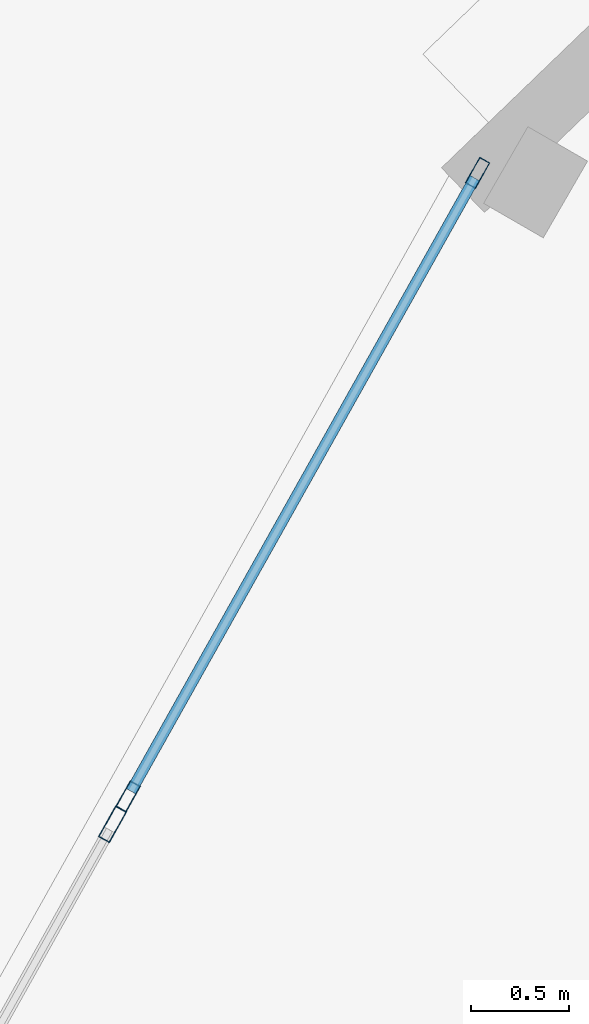
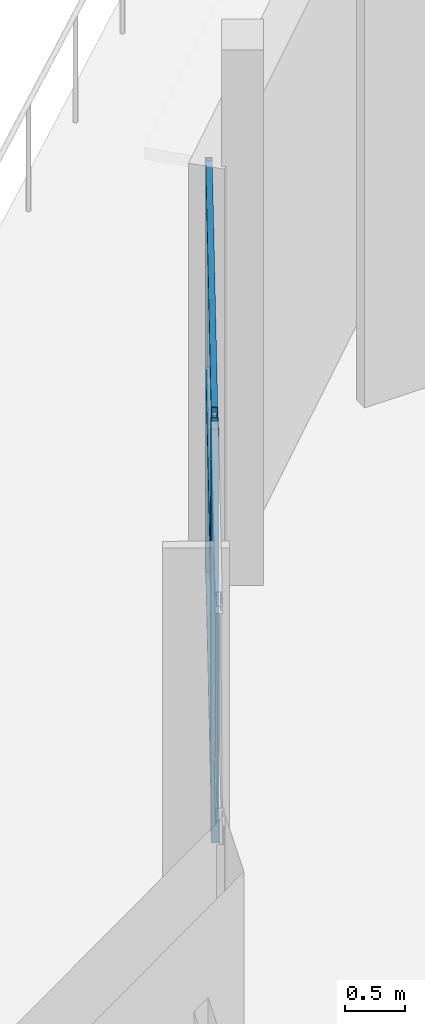
# One storey, part 42 of 123: 6 members, 2 elements without a shape of their own.
"""IFC4 building model written with IfcOpenShell, lengths in metres."""

from ifc_helpers import new_model, si_unit, direction, frame, origin, origin_2d, place, context, subcontext, project, spatial, hollow_rectangle, extrude, material, layer, layer_set, material_profile, profile_set, type_object, element, aggregate, save


model = new_model("IFC4")

# Units and contexts
model_context = context("Model", 3, precision=1e-05, world=origin(), true_north=direction((0.0, 1.0)))
body_context = subcontext(model_context, "Body", "Model", "MODEL_VIEW")
ifc_project = project(units=[si_unit("LENGTHUNIT", "METRE"), si_unit("AREAUNIT", "SQUARE_METRE"), si_unit("VOLUMEUNIT", "CUBIC_METRE"), si_unit("PLANEANGLEUNIT", "RADIAN"), si_unit("MASSUNIT", "GRAM", prefix="KILO")], contexts=[model_context])

# Site, building, storey
site_placement = place(None, origin())
site = spatial("IfcSite", under=ifc_project, at=site_placement, CompositionType="ELEMENT")
building_placement = place(site_placement, origin())
building = spatial("IfcBuilding", under=site, at=building_placement, Name="Kalgoora Escarpment Arena", CompositionType="ELEMENT")
storey_placement = place(building_placement, frame((0.0, 0.0, 9.89990234375)))
storey = spatial("IfcBuildingStorey", under=building, at=storey_placement, Name="L02", CompositionType="ELEMENT", Elevation=9.89990234375)

# Curtain wall, members
ifc_material_1 = material(Name=" Champagne anodised aluminium & double-glazed low-E", Category="aluminium")
ifc_layer_1 = layer(ifc_material_1, 0.154052734375)
ifc_layer_set_1 = layer_set([ifc_layer_1], Name="CW-UNIT-11")
curtain_wall_type_1 = type_object("IfcCurtainWallType", Name="CW-UNIT-11", PredefinedType="NOTDEFINED", material=ifc_layer_set_1)
curtain_wall_1_placement = place(storey_placement, origin())
curtain_wall_1 = element("IfcCurtainWall", 1, at=curtain_wall_1_placement, inside=storey, type_object=curtain_wall_type_1, Name="L02 unitised facade curtain wall 070", PredefinedType="NOTDEFINED")
ifc_material_2 = material(Name="Anodised aluminium 6063-T6", Category="aluminium")
ifc_material_profile_1 = material_profile(ifc_material_2, hollow_rectangle(XDim=0.06005859375, YDim=0.14990234375, WallThickness=0.00341796875, at=origin_2d()))
ifc_profile_set_1 = profile_set([ifc_material_profile_1], Name="Anodised aluminium 6063-T6")
member_type_1 = type_object("IfcMemberType", Name="MEM-CW-MULL-150", PredefinedType="MULLION", material=ifc_profile_set_1)
member_1_placement = place(storey_placement, frame((18.968505859375, 91.27734375, 0.02001953125), z_axis=(0.0, 0.0, 1.0), x_axis=(-0.872355947952, 0.488871251019, 0.0)))
member_1 = element("IfcMember", 2, at=member_1_placement, type_object=member_type_1, Name="CW-11 mullion 1", PredefinedType="MULLION", context=body_context, shape_type="SweptSolid", body=[
    extrude(hollow_rectangle(XDim=0.06005859375, YDim=0.14990234375, WallThickness=0.00341796875, at=origin_2d()), origin(), (0.0, 0.0, 1.0), 4.205078125),
])
member_2_placement = place(storey_placement, frame((20.7451171875, 94.447509765625, 0.02001953125), z_axis=(0.0, 0.0, 1.0), x_axis=(-0.872355947952, 0.488871251019, 0.0)))
member_2 = element("IfcMember", 3, at=member_2_placement, type_object=member_type_1, Name="CW-11 mullion 2", PredefinedType="MULLION", context=body_context, shape_type="SweptSolid", body=[
    extrude(hollow_rectangle(XDim=0.06005859375, YDim=0.14990234375, WallThickness=0.00341796875, at=origin_2d()), origin(), (0.0, 0.0, 1.0), 4.205078125),
])

# Curtain wall, member
ifc_material_3 = material(Name=" Champagne anodised aluminium & double-glazed low-E", Category="aluminium")
ifc_layer_2 = layer(ifc_material_3, 0.14990234375)
ifc_layer_set_2 = layer_set([ifc_layer_2], Name="CW-UNIT-10")
curtain_wall_type_2 = type_object("IfcCurtainWallType", Name="CW-UNIT-10", PredefinedType="NOTDEFINED", material=ifc_layer_set_2)
curtain_wall_2_placement = place(storey_placement, origin())
curtain_wall_2 = element("IfcCurtainWall", 4, at=curtain_wall_2_placement, inside=storey, type_object=curtain_wall_type_2, Name="L02 unitised facade curtain wall 069", PredefinedType="NOTDEFINED")
ifc_material_4 = material(Name="Anodised aluminium 6063-T6", Category="aluminium")
ifc_material_profile_2 = material_profile(ifc_material_4, hollow_rectangle(XDim=0.06494140625, YDim=0.179931640625, WallThickness=0.00390625, at=origin_2d()))
ifc_profile_set_2 = profile_set([ifc_material_profile_2], Name="Anodised aluminium 6063-T6")
member_type_2 = type_object("IfcMemberType", Name="MEM-CW-MULL-180", PredefinedType="MULLION", material=ifc_profile_set_2)
member_3_placement = place(storey_placement, frame((18.88916015625, 91.135498046875, 0.02001953125), z_axis=(0.0, 0.0, 1.0), x_axis=(-0.872362417509, 0.488859706375, 0.0)))
member_3 = element("IfcMember", 5, at=member_3_placement, type_object=member_type_2, Name="CW-10 mullion 2", PredefinedType="MULLION", context=body_context, shape_type="SweptSolid", body=[
    extrude(hollow_rectangle(XDim=0.06494140625, YDim=0.179931640625, WallThickness=0.00390625, at=origin_2d()), origin(), (0.0, 0.0, 1.0), 4.205078125),
])
aggregate(curtain_wall_2, [member_3])

# Member
ifc_material_5 = material(Name="Anodised aluminium 6063-T6", Category="aluminium")
ifc_material_profile_3 = material_profile(ifc_material_5, hollow_rectangle(XDim=0.054931640625, YDim=0.1201171875, WallThickness=0.003173828125, at=origin_2d()))
ifc_profile_set_3 = profile_set([ifc_material_profile_3], Name="Anodised aluminium 6063-T6")
member_type_3 = type_object("IfcMemberType", Name="MEM-CW-TRAN-120", PredefinedType="USERDEFINED", material=ifc_profile_set_3)
member_4_placement = place(storey_placement, frame((18.983154296875, 91.303466796875, 0.047607421875), z_axis=(0.488904958447, 0.872337057338, 0.0), x_axis=(-0.872337057338, 0.488904958447, 0.0)))
member_4 = element("IfcMember", 6, at=member_4_placement, type_object=member_type_3, Name="CW-11 transom 1.1", ObjectType="TRANSOM", PredefinedType="USERDEFINED", context=body_context, shape_type="SweptSolid", body=[
    extrude(hollow_rectangle(XDim=0.054931640625, YDim=0.1201171875, WallThickness=0.003173828125, at=origin_2d()), origin(), (0.0, 0.0, 1.0), 3.573974609375),
])

member_5_placement = place(storey_placement, frame((18.983154296875, 91.303466796875, 2.132568359375), z_axis=(0.488904958447, 0.872337057338, 0.0), x_axis=(-0.872337057338, 0.488904958447, 0.0)))
member_5 = element("IfcMember", 7, at=member_5_placement, type_object=member_type_3, Name="CW-11 transom 1.2", ObjectType="TRANSOM", PredefinedType="USERDEFINED", context=body_context, shape_type="SweptSolid", body=[
    extrude(hollow_rectangle(XDim=0.054931640625, YDim=0.1201171875, WallThickness=0.003173828125, at=origin_2d()), origin(), (0.0, 0.0, 1.0), 3.573974609375),
])

member_6_placement = place(storey_placement, frame((18.983154296875, 91.303466796875, 4.197509765625), z_axis=(0.488904958447, 0.872337057338, 0.0), x_axis=(-0.872337057338, 0.488904958447, 0.0)))
member_6 = element("IfcMember", 8, at=member_6_placement, type_object=member_type_3, Name="CW-11 transom 1.3", ObjectType="TRANSOM", PredefinedType="USERDEFINED", context=body_context, shape_type="SweptSolid", body=[
    extrude(hollow_rectangle(XDim=0.054931640625, YDim=0.1201171875, WallThickness=0.003173828125, at=origin_2d()), origin(), (0.0, 0.0, 1.0), 3.573974609375),
])

aggregate(curtain_wall_1, [member_1, member_2, member_4, member_5, member_6])

save(model, "model.ifc")
